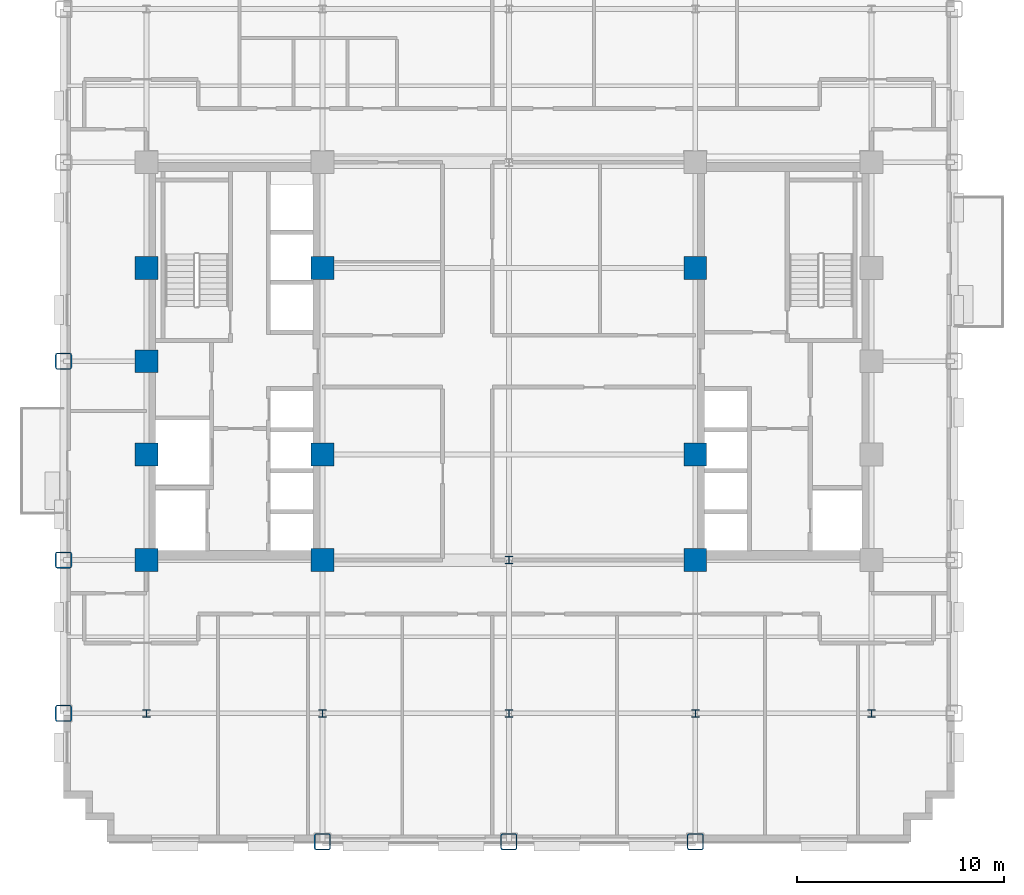
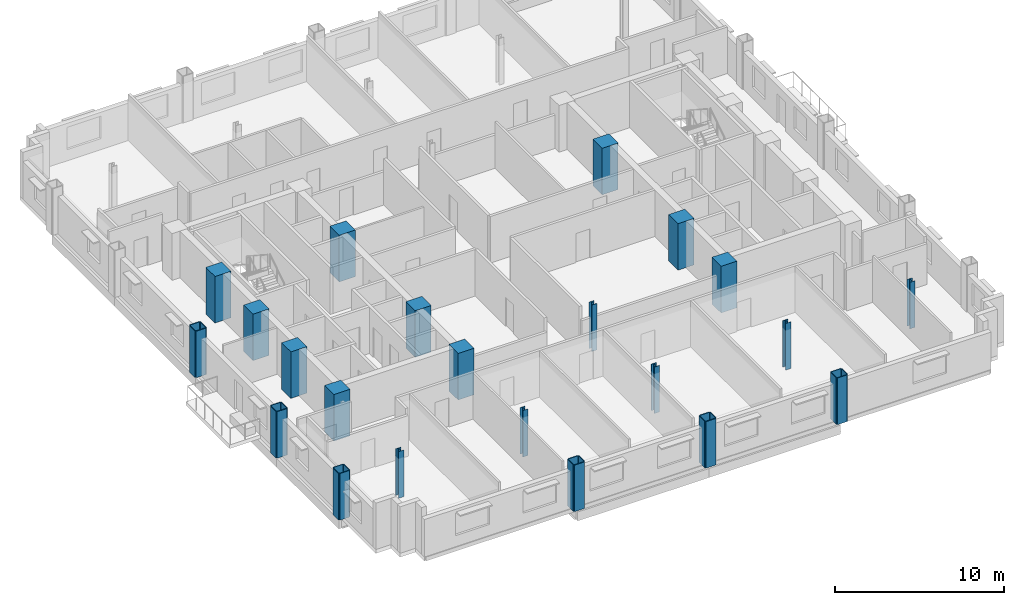
# One storey, part 1 of 14: 22 columns.
"""IFC4 building model written with IfcOpenShell, lengths in metres."""

from ifc_helpers import new_model, si_unit, direction, frame, origin, origin_2d, place, context, subcontext, project, spatial, rectangle, hollow_rectangle, i_section, extrude, material, material_profile, profile_set, type_object, element, save


model = new_model("IFC4")

# Units and contexts
model_context = context("Model", 3, precision=1e-05, world=origin(), true_north=direction((0.0, 1.0)))
body_context = subcontext(model_context, "Body", "Model", "MODEL_VIEW")
ifc_project = project(units=[si_unit("LENGTHUNIT", "METRE"), si_unit("AREAUNIT", "SQUARE_METRE"), si_unit("VOLUMEUNIT", "CUBIC_METRE"), si_unit("PLANEANGLEUNIT", "RADIAN"), si_unit("MASSUNIT", "GRAM", prefix="KILO")], contexts=[model_context])

# Site, building, storey
site_placement = place(None, origin())
site = spatial("IfcSite", under=ifc_project, at=site_placement, CompositionType="ELEMENT")
building_placement = place(site_placement, origin())
building = spatial("IfcBuilding", under=site, at=building_placement, Name="Nuvemarco Arch Tower", CompositionType="ELEMENT")
storey_placement = place(building_placement, frame((0.0, 0.0, 75.050048828125)))
storey = spatial("IfcBuildingStorey", under=building, at=storey_placement, Name="L19", CompositionType="ELEMENT", Elevation=75.050048828125)

# Columns
ifc_material_1 = material(Name="Concrete C60/75", Category="concrete")
ifc_material_profile_1 = material_profile(ifc_material_1, rectangle(XDim=1.10009765625, YDim=1.10009765625, at=origin_2d()), Name="RC-COL-1100x1100")
ifc_profile_set_1 = profile_set([ifc_material_profile_1], Name="Concrete C60/75")
column_type_1 = type_object("IfcColumnType", Name="COL-CORE-1100", PredefinedType="COLUMN", material=ifc_profile_set_1)
for number, where, z_axis, x_axis, name in (
    (1, (-17.5, -9.60009765625, 0.0), (0.0, 0.0, 1.0), (1.0, 0.0, 0.0), "L19 column CC_-17.5_-9.6"),
    (2, (-17.5, -4.5, 0.0), (0.0, 0.0, 1.0), (1.0, 0.0, 0.0), "L19 column CC_-17.5_-4.5"),
    (3, (-17.5, 4.5, 0.0), (0.0, 0.0, 1.0), (1.0, 0.0, 0.0), "L19 column CC_-17.5_+4.5"),
    (4, (-9.0, -9.60009765625, 0.0), (0.0, 0.0, 1.0), (1.0, 0.0, 0.0), "L19 column CC_-9.0_-9.6"),
    (5, (-9.0, -4.5, 0.0), (0.0, 0.0, 1.0), (1.0, 0.0, 0.0), "L19 column CC_-9.0_-4.5"),
    (6, (-9.0, 4.5, 0.0), (0.0, 0.0, 1.0), (1.0, 0.0, 0.0), "L19 column CC_-9.0_+4.5"),
    (7, (9.0, -9.60009765625, 0.0), (0.0, 0.0, 1.0), (1.0, 0.0, 0.0), "L19 column CC_+9.0_-9.6"),
    (8, (9.0, -4.5, 0.0), (0.0, 0.0, 1.0), (1.0, 0.0, 0.0), "L19 column CC_+9.0_-4.5"),
    (9, (9.0, 4.5, 0.0), (0.0, 0.0, 1.0), (1.0, 0.0, 0.0), "L19 column CC_+9.0_+4.5"),
    (10, (-17.5, 0.0, 0.0), (0.0, 0.0, 1.0), (1.0, 0.0, 0.0), "L19 column CC_-17.5_+0.0"),
):
    element("IfcColumn", number, at=place(storey_placement, frame(where, z_axis=z_axis, x_axis=x_axis)), inside=storey, type_object=column_type_1, Name=name, PredefinedType="COLUMN", context=body_context, shape_type="SweptSolid", body=[
        extrude(rectangle(XDim=1.10009765625, YDim=1.10009765625, at=origin_2d()), origin(), (0.0, 0.0, 1.0), 3.369873046875),
    ])
ifc_material_2 = material(Name="Steel S460", Category="steel")
ifc_material_profile_2 = material_profile(ifc_material_2, hollow_rectangle(XDim=0.800048828125, YDim=0.800048828125, WallThickness=0.054931640625, InnerFilletRadius=0.054931640625, OuterFilletRadius=0.110107421875, at=origin_2d()), Name="SHS800x800x55")
ifc_profile_set_2 = profile_set([ifc_material_profile_2], Name="Steel S460")
column_type_2 = type_object("IfcColumnType", Name="COL-EXO-800", PredefinedType="COLUMN", material=ifc_profile_set_2)
for number, where, z_axis, x_axis, name in (
    (11, (-21.5, -17.0, 0.0), (0.0, 0.0, 1.0), (1.0, 0.0, 0.0), "L19 column CX_-21.5_-17.0"),
    (12, (-21.5, -9.60009765625, 0.0), (0.0, 0.0, 1.0), (1.0, 0.0, 0.0), "L19 column CX_-21.5_-9.6"),
    (13, (-21.5, 0.0, 0.0), (0.0, 0.0, 1.0), (1.0, 0.0, 0.0), "L19 column CX_-21.5_+0.0"),
    (14, (-9.0, -23.199951171875, 0.0), (0.0, 0.0, 1.0), (1.0, 0.0, 0.0), "L19 column CY_-9.0_-23.2"),
    (15, (0.0, -23.199951171875, 0.0), (0.0, 0.0, 1.0), (1.0, 0.0, 0.0), "L19 column CY_+0.0_-23.2"),
    (16, (9.0, -23.199951171875, 0.0), (0.0, 0.0, 1.0), (1.0, 0.0, 0.0), "L19 column CY_+9.0_-23.2"),
):
    element("IfcColumn", number, at=place(storey_placement, frame(where, z_axis=z_axis, x_axis=x_axis)), inside=storey, type_object=column_type_2, Name=name, PredefinedType="COLUMN", context=body_context, shape_type="SweptSolid", body=[
        extrude(hollow_rectangle(XDim=0.800048828125, YDim=0.800048828125, WallThickness=0.054931640625, InnerFilletRadius=0.054931640625, OuterFilletRadius=0.110107421875, at=origin_2d()), origin(), (0.0, 0.0, 1.0), 3.369873046875),
    ])
ifc_material_3 = material(Name="Steel S355", Category="steel")
ifc_material_profile_3 = material_profile(ifc_material_3, i_section(OverallWidth=0.360107421875, OverallDepth=0.360107421875, WebThickness=0.0205078125, FlangeThickness=0.0205078125, FilletRadius=0.01806640625, at=origin_2d()), Name="HP360x174")
ifc_profile_set_3 = profile_set([ifc_material_profile_3], Name="Steel S355")
column_type_3 = type_object("IfcColumnType", Name="COL-STL-HP360", PredefinedType="COLUMN", material=ifc_profile_set_3)
for number, where, z_axis, x_axis, name in (
    (17, (0.0, -17.0, 0.0), (0.0, 0.0, 1.0), (1.0, 0.0, 0.0), "L19 column CI_+0.0_-17.0"),
    (18, (0.0, -9.60009765625, 0.0), (0.0, 0.0, 1.0), (1.0, 0.0, 0.0), "L19 column CI_+0.0_-9.6"),
    (19, (-17.5, -17.0, 0.0), (0.0, 0.0, 1.0), (1.0, 0.0, 0.0), "L19 column CI_-17.5_-17.0"),
    (20, (-9.0, -17.0, 0.0), (0.0, 0.0, 1.0), (1.0, 0.0, 0.0), "L19 column CI_-9.0_-17.0"),
    (21, (9.0, -17.0, 0.0), (0.0, 0.0, 1.0), (1.0, 0.0, 0.0), "L19 column CI_+9.0_-17.0"),
    (22, (17.5, -17.0, 0.0), (0.0, 0.0, 1.0), (1.0, 0.0, 0.0), "L19 column CI_+17.5_-17.0"),
):
    element("IfcColumn", number, at=place(storey_placement, frame(where, z_axis=z_axis, x_axis=x_axis)), inside=storey, type_object=column_type_3, Name=name, PredefinedType="COLUMN", context=body_context, shape_type="SweptSolid", body=[
        extrude(i_section(OverallWidth=0.360107421875, OverallDepth=0.360107421875, WebThickness=0.0205078125, FlangeThickness=0.0205078125, FilletRadius=0.01806640625, at=origin_2d()), origin(), (0.0, 0.0, 1.0), 3.369873046875),
    ])

save(model, "model.ifc")
